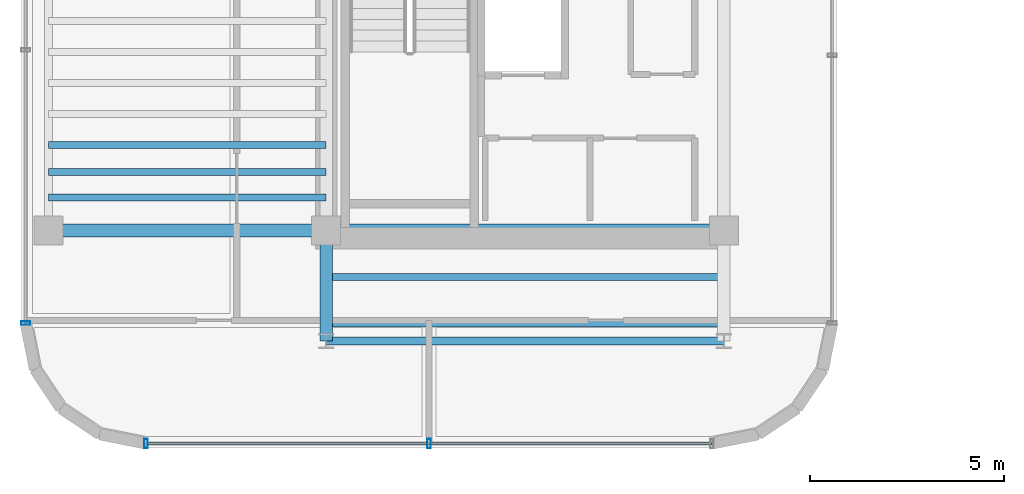
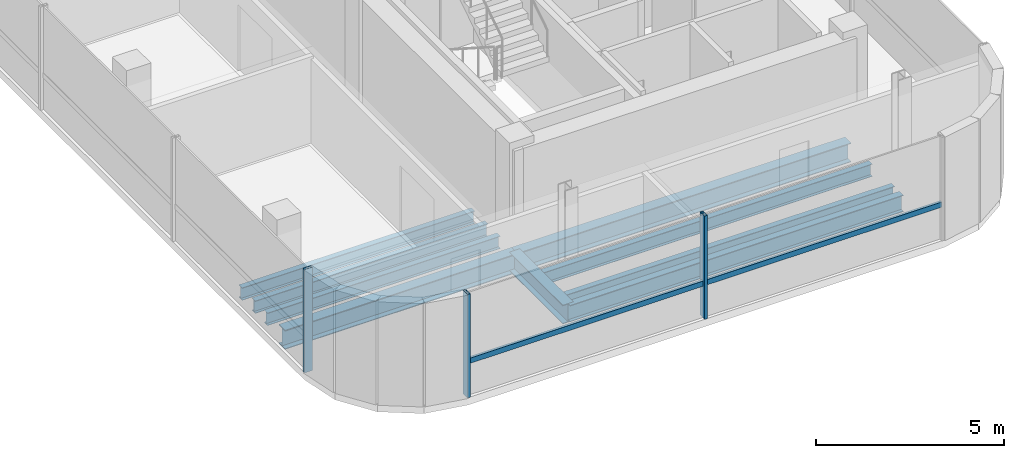
# One storey, part 2 of 17: 9 beams, 4 members, 2 elements without a shape of their own.
"""IFC4 building model written with IfcOpenShell, lengths in metres."""

from ifc_helpers import new_model, si_unit, direction, frame, origin, origin_2d, place, context, subcontext, project, spatial, hollow_rectangle, i_section, extrude, source, transform, mapped, material, material_profile, profile_set, type_object, element, aggregate, save


model = new_model("IFC4")

# Units and contexts
model_context = context("Model", 3, precision=1e-05, world=origin(), true_north=direction((0.0, 1.0)))
body_context = subcontext(model_context, "Body", "Model", "MODEL_VIEW")
ifc_project = project(units=[si_unit("LENGTHUNIT", "METRE"), si_unit("AREAUNIT", "SQUARE_METRE"), si_unit("VOLUMEUNIT", "CUBIC_METRE"), si_unit("PLANEANGLEUNIT", "RADIAN"), si_unit("MASSUNIT", "GRAM", prefix="KILO")], contexts=[model_context])

# Site, building, storey
site_placement = place(None, origin())
site = spatial("IfcSite", under=ifc_project, at=site_placement, CompositionType="ELEMENT")
building_placement = place(site_placement, origin())
building = spatial("IfcBuilding", under=site, at=building_placement, Name="Valdorenza Pilgrim Sanctuary Tower", CompositionType="ELEMENT")
storey_placement = place(building_placement, frame((0.0, 0.0, 287.0)))
storey = spatial("IfcBuildingStorey", under=building, at=storey_placement, Name="L75", CompositionType="ELEMENT", Elevation=287.0)

# Beams
ifc_material_1 = material(Name="Steel ASTM A992 Grade 50", Category="steel")
ifc_material_profile_1 = material_profile(ifc_material_1, i_section(OverallWidth=0.323974609375, OverallDepth=0.611083984375, WebThickness=0.0126953125, FlangeThickness=0.01904296875, at=origin_2d()), Name="W24X104")
ifc_profile_set_1 = profile_set([ifc_material_profile_1], Name="Steel ASTM A992 Grade 50")
beam_type_1 = type_object("IfcBeamType", Name="STR-BM-GRD-W24B", PredefinedType="BEAM", material=ifc_profile_set_1)
shared_shape_1 = source(origin(), body_context, "Body", "SweptSolid", [
    extrude(i_section(OverallWidth=0.323974609375, OverallDepth=0.611083984375, WebThickness=0.0126953125, FlangeThickness=0.01904296875, at=origin_2d()), origin(), (0.0, 0.0, 1.0), 2.849853515625),
])
beam_1_placement = place(storey_placement, frame((-22.64990234375, -13.449951171875, -0.54541015625), z_axis=(0.0, 1.0, 0.0), x_axis=(-1.0, 0.0, 0.0)))
element("IfcBeam", 1, at=beam_1_placement, inside=storey, type_object=beam_type_1, Name="L75 Floor Girder WA-S-LW", PredefinedType="BEAM", context=body_context, shape_type="MappedRepresentation", body=[
    mapped(shared_shape_1, transform((0.0, 0.0, 0.0), x_axis=(1.0, 0.0, 0.0), y_axis=(0.0, 1.0, 0.0), z_axis=(0.0, 0.0, 1.0), scale=1.0)),
])
ifc_material_profile_2 = material_profile(ifc_material_1, i_section(OverallWidth=0.2109375, OverallDepth=0.5390625, WebThickness=0.01171875, FlangeThickness=0.018798828125, at=origin_2d()), Name="W21X73")
ifc_profile_set_2 = profile_set([ifc_material_profile_2], Name="Steel ASTM A992 Grade 50")
beam_type_2 = type_object("IfcBeamType", Name="STR-BM-SPN-W21B", PredefinedType="SPANDREL", material=ifc_profile_set_2)
shared_shape_2 = source(origin(), body_context, "Body", "SweptSolid", [
    extrude(i_section(OverallWidth=0.2109375, OverallDepth=0.5390625, WebThickness=0.01171875, FlangeThickness=0.018798828125, at=origin_2d()), origin(), (0.0, 0.0, 1.0), 10.25),
])
beam_2_placement = place(storey_placement, frame((-22.64990234375, -13.449951171875, -0.509521484375), z_axis=(1.0, 0.0, 0.0), x_axis=(0.0, 1.0, 0.0)))
element("IfcBeam", 2, at=beam_2_placement, inside=storey, type_object=beam_type_2, Name="L75 South Spandrel WA-S-TIE", PredefinedType="SPANDREL", context=body_context, shape_type="MappedRepresentation", body=[
    mapped(shared_shape_2, transform((0.0, 0.0, 0.0), x_axis=(1.0, 0.0, 0.0), y_axis=(0.0, 1.0, 0.0), z_axis=(0.0, 0.0, 1.0), scale=1.0)),
])
ifc_material_profile_3 = material_profile(ifc_material_1, i_section(OverallWidth=0.177978515625, OverallDepth=0.406005859375, WebThickness=0.0078125, FlangeThickness=0.0126953125, at=origin_2d()), Name="W16X40")
ifc_profile_set_3 = profile_set([ifc_material_profile_3], Name="Steel ASTM A992 Grade 50")
beam_type_3 = type_object("IfcBeamType", Name="STR-BM-JST-W16", PredefinedType="JOIST", material=ifc_profile_set_3)
shared_shape_3 = source(origin(), body_context, "Body", "SweptSolid", [
    extrude(i_section(OverallWidth=0.177978515625, OverallDepth=0.406005859375, WebThickness=0.0078125, FlangeThickness=0.0126953125, at=origin_2d()), origin(), (0.0, 0.0, 1.0), 10.25),
])
for number, where, z_axis, x_axis, name in (
    (3, (-22.64990234375, -13.0, -0.443115234375), (1.0, 0.0, 0.0), (0.0, 1.0, 0.0), "L75 Composite Floor Joist JST-WAS-1"),
    (4, (-22.64990234375, -11.800048828125, -0.443115234375), (1.0, 0.0, 0.0), (0.0, 1.0, 0.0), "L75 Composite Floor Joist JST-WAS-2"),
):
    element("IfcBeam", number, at=place(storey_placement, frame(where, z_axis=z_axis, x_axis=x_axis)), inside=storey, type_object=beam_type_3, Name=name, PredefinedType="JOIST", context=body_context, shape_type="MappedRepresentation", body=[
        mapped(shared_shape_3, transform((0.0, 0.0, 0.0), x_axis=(1.0, 0.0, 0.0), y_axis=(0.0, 1.0, 0.0), z_axis=(0.0, 0.0, 1.0), scale=1.0)),
    ])
shared_shape_4 = source(origin(), body_context, "Body", "SweptSolid", [
    extrude(i_section(OverallWidth=0.177978515625, OverallDepth=0.406005859375, WebThickness=0.0078125, FlangeThickness=0.0126953125, at=origin_2d()), origin(), (0.0, 0.0, 1.0), 7.150146484375),
])
for number, where, z_axis, x_axis, name in (
    (5, (-29.800048828125, -9.75, -0.443115234375), (1.0, 0.0, 0.0), (0.0, 1.0, 0.0), "L75 Composite Floor Joist JST-WA-1"),
    (6, (-29.800048828125, -9.10009765625, -0.443115234375), (1.0, 0.0, 0.0), (0.0, 1.0, 0.0), "L75 Composite Floor Joist JST-WA-2"),
    (7, (-29.800048828125, -8.39990234375, -0.443115234375), (1.0, 0.0, 0.0), (0.0, 1.0, 0.0), "L75 Composite Floor Joist JST-WA-3"),
):
    element("IfcBeam", number, at=place(storey_placement, frame(where, z_axis=z_axis, x_axis=x_axis)), inside=storey, type_object=beam_type_3, Name=name, PredefinedType="JOIST", context=body_context, shape_type="MappedRepresentation", body=[
        mapped(shared_shape_4, transform((0.0, 0.0, 0.0), x_axis=(1.0, 0.0, 0.0), y_axis=(0.0, 1.0, 0.0), z_axis=(0.0, 0.0, 1.0), scale=1.0)),
    ])
ifc_material_profile_4 = material_profile(ifc_material_1, i_section(OverallWidth=0.326904296875, OverallDepth=0.6220703125, WebThickness=0.015380859375, FlangeThickness=0.0244140625, at=origin_2d()), Name="W24X131")
ifc_profile_set_4 = profile_set([ifc_material_profile_4], Name="Steel ASTM A992 Grade 50")
beam_type_4 = type_object("IfcBeamType", Name="STR-BM-GRD-W24A", PredefinedType="BEAM", material=ifc_profile_set_4)
shared_shape_5 = source(origin(), body_context, "Body", "SweptSolid", [
    extrude(i_section(OverallWidth=0.326904296875, OverallDepth=0.6220703125, WebThickness=0.015380859375, FlangeThickness=0.0244140625, at=origin_2d()), origin(), (0.0, 0.0, 1.0), 7.150146484375),
])
beam_3_placement = place(storey_placement, frame((-29.800048828125, -10.60009765625, -0.551025390625), z_axis=(1.0, 0.0, 0.0), x_axis=(0.0, 1.0, 0.0)))
element("IfcBeam", 8, at=beam_3_placement, inside=storey, type_object=beam_type_4, Name="L75 Floor Girder WA-XW-S1", PredefinedType="BEAM", context=body_context, shape_type="MappedRepresentation", body=[
    mapped(shared_shape_5, transform((0.0, 0.0, 0.0), x_axis=(1.0, 0.0, 0.0), y_axis=(0.0, 1.0, 0.0), z_axis=(0.0, 0.0, 1.0), scale=1.0)),
])
shared_shape_6 = source(origin(), body_context, "Body", "SweptSolid", [
    extrude(i_section(OverallWidth=0.326904296875, OverallDepth=0.6220703125, WebThickness=0.015380859375, FlangeThickness=0.0244140625, at=origin_2d()), origin(), (0.0, 0.0, 1.0), 10.25),
])
beam_4_placement = place(storey_placement, frame((-22.64990234375, -10.60009765625, -0.551025390625), z_axis=(1.0, 0.0, 0.0), x_axis=(0.0, 1.0, 0.0)))
element("IfcBeam", 9, at=beam_4_placement, inside=storey, type_object=beam_type_4, Name="L75 Floor Girder CA-XC-S1", PredefinedType="BEAM", context=body_context, shape_type="MappedRepresentation", body=[
    mapped(shared_shape_6, transform((0.0, 0.0, 0.0), x_axis=(1.0, 0.0, 0.0), y_axis=(0.0, 1.0, 0.0), z_axis=(0.0, 0.0, 1.0), scale=1.0)),
])

# Curtain wall, member
ifc_material_2 = material(Name="Curtain-wall IGU glazing", Category="glass")
curtain_wall_type = type_object("IfcCurtainWallType", Name="CW-SYS-04", PredefinedType="NOTDEFINED", material=ifc_material_2)
curtain_wall_1_placement = place(storey_placement, origin())
curtain_wall_1 = element("IfcCurtainWall", 10, at=curtain_wall_1_placement, inside=storey, type_object=curtain_wall_type, Name="L75 Curtain Wall CW-L75-1-1", PredefinedType="NOTDEFINED")
ifc_material_3 = material(Name="Anodised aluminium AW-6060", Category="aluminium")
ifc_material_profile_5 = material_profile(ifc_material_3, hollow_rectangle(XDim=0.090087890625, YDim=0.239990234375, WallThickness=0.0048828125, at=origin_2d()), Name="ALU-M 240x90x5")
ifc_profile_set_5 = profile_set([ifc_material_profile_5], Name="Anodised aluminium AW-6060")
member_type_1 = type_object("IfcMemberType", Name="CW-MUL-04", PredefinedType="MULLION", material=ifc_profile_set_5)
shared_shape_7 = source(origin(), body_context, "Body", "SweptSolid", [
    extrude(hollow_rectangle(XDim=0.090087890625, YDim=0.239990234375, WallThickness=0.0048828125, at=origin_2d()), origin(), (0.0, 0.0, 1.0), 3.360107421875),
])
member_1_placement = place(storey_placement, frame((-30.389892578125, -12.9892578125, 0.0), z_axis=(0.0, 0.0, 1.0), x_axis=(0.0, 1.0, 0.0)))
member_1 = element("IfcMember", 11, at=member_1_placement, type_object=member_type_1, Name="CW-L75-1-1 Mullion 1", PredefinedType="MULLION", context=body_context, shape_type="MappedRepresentation", body=[
    mapped(shared_shape_7, transform((0.0, 0.0, 0.0), x_axis=(1.0, 0.0, 0.0), y_axis=(0.0, 1.0, 0.0), z_axis=(0.0, 0.0, 1.0), scale=1.0)),
])
aggregate(curtain_wall_1, [member_1])

# Curtain wall, members
curtain_wall_2_placement = place(storey_placement, origin())
curtain_wall_2 = element("IfcCurtainWall", 12, at=curtain_wall_2_placement, inside=storey, type_object=curtain_wall_type, Name="L75 Curtain Wall CW-L75-1-26", PredefinedType="NOTDEFINED")
member_2_placement = place(storey_placement, frame((-20.0, -16.090087890625, 0.0), z_axis=(0.0, 0.0, 1.0), x_axis=(-1.0, 0.0, 0.0)))
member_2 = element("IfcMember", 13, at=member_2_placement, type_object=member_type_1, Name="CW-L75-1-26 Mullion 2", PredefinedType="MULLION", context=body_context, shape_type="MappedRepresentation", body=[
    mapped(shared_shape_7, transform((0.0, 0.0, 0.0), x_axis=(1.0, 0.0, 0.0), y_axis=(0.0, 1.0, 0.0), z_axis=(0.0, 0.0, 1.0), scale=1.0)),
])
member_3_placement = place(storey_placement, frame((-27.289306640625, -16.090087890625, 0.0), z_axis=(0.0, 0.0, 1.0), x_axis=(-1.0, 0.0, 0.0)))
member_3 = element("IfcMember", 14, at=member_3_placement, type_object=member_type_1, Name="CW-L75-1-26 Mullion 3", PredefinedType="MULLION", context=body_context, shape_type="MappedRepresentation", body=[
    mapped(shared_shape_7, transform((0.0, 0.0, 0.0), x_axis=(1.0, 0.0, 0.0), y_axis=(0.0, 1.0, 0.0), z_axis=(0.0, 0.0, 1.0), scale=1.0)),
])
ifc_material_profile_6 = material_profile(ifc_material_3, hollow_rectangle(XDim=0.080078125, YDim=0.169921875, WallThickness=0.00390625, at=origin_2d()), Name="ALU-T 170x80x4")
ifc_profile_set_6 = profile_set([ifc_material_profile_6], Name="Anodised aluminium AW-6060")
member_type_2 = type_object("IfcMemberType", Name="CW-TRN-04", PredefinedType="USERDEFINED", material=ifc_profile_set_6)
shared_shape_8 = source(origin(), body_context, "Body", "SweptSolid", [
    extrude(hollow_rectangle(XDim=0.080078125, YDim=0.169921875, WallThickness=0.00390625, at=origin_2d()), origin(), (0.0, 0.0, 1.0), 14.57861328125),
])
member_4_placement = place(storey_placement, frame((-12.710693359375, -16.090087890625, 1.1201171875), z_axis=(-1.0, 0.0, 0.0), x_axis=(0.0, -1.0, 0.0)))
member_4 = element("IfcMember", 15, at=member_4_placement, type_object=member_type_2, Name="CW-L75-1-26 Transom 1", ObjectType="TRANSOM", PredefinedType="USERDEFINED", context=body_context, shape_type="MappedRepresentation", body=[
    mapped(shared_shape_8, transform((0.0, 0.0, 0.0), x_axis=(1.0, 0.0, 0.0), y_axis=(0.0, 1.0, 0.0), z_axis=(0.0, 0.0, 1.0), scale=1.0)),
])
aggregate(curtain_wall_2, [member_2, member_3, member_4])

save(model, "model.ifc")
